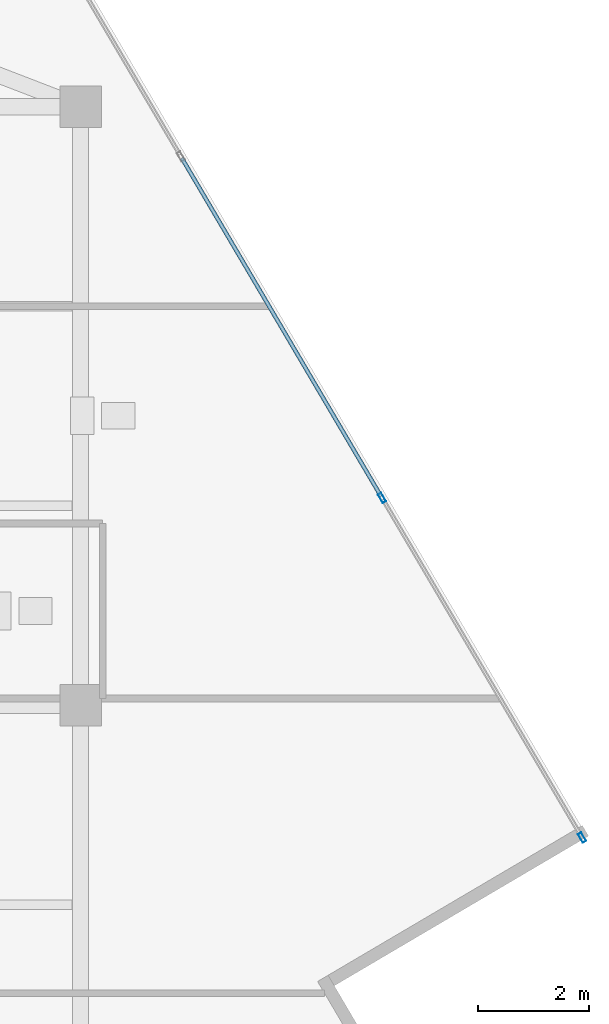
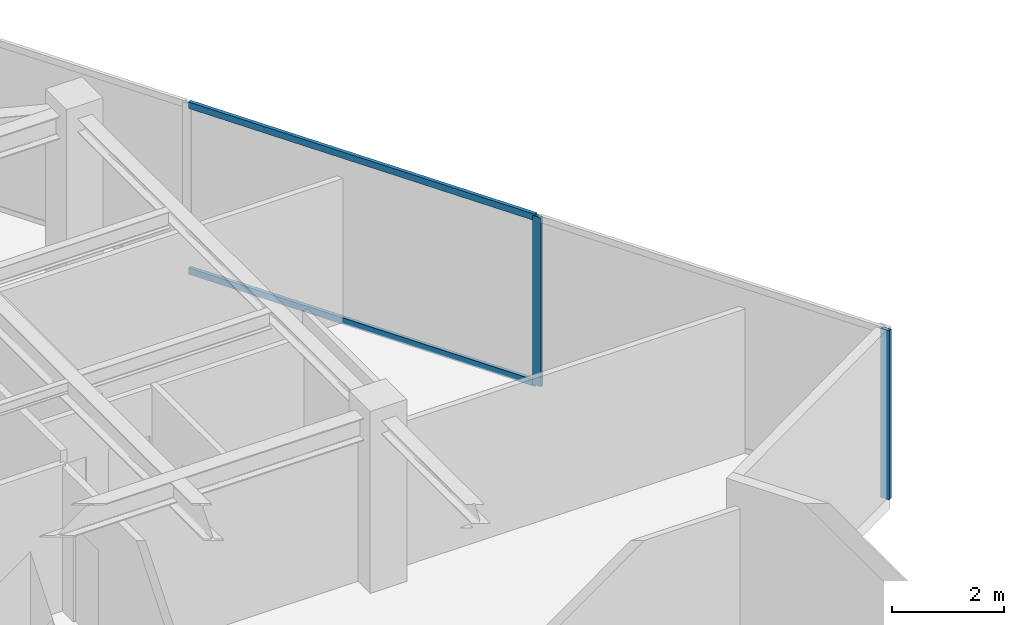
# One storey, part 10 of 20: 4 members, 1 element without a shape of its own.
"""IFC4 building model written with IfcOpenShell, lengths in metres."""

from ifc_helpers import new_model, si_unit, direction, frame, origin, origin_2d, place, context, subcontext, project, spatial, hollow_rectangle, extrude, source, transform, mapped, material, material_profile, profile_set, type_object, type_shapes, element, aggregate, save


model = new_model("IFC4")

# Units and contexts
model_context = context("Model", 3, precision=1e-05, world=origin(), true_north=direction((0.0, 1.0)))
body_context = subcontext(model_context, "Body", "Model", "MODEL_VIEW")
ifc_project = project(units=[si_unit("LENGTHUNIT", "METRE"), si_unit("AREAUNIT", "SQUARE_METRE"), si_unit("VOLUMEUNIT", "CUBIC_METRE"), si_unit("PLANEANGLEUNIT", "RADIAN"), si_unit("MASSUNIT", "GRAM", prefix="KILO")], contexts=[model_context])

# Site, building, storey
site_placement = place(None, origin())
site = spatial("IfcSite", under=ifc_project, at=site_placement, CompositionType="ELEMENT")
building_placement = place(site_placement, origin())
building = spatial("IfcBuilding", under=site, at=building_placement, Name="Krantzveldt Concourse Tower", CompositionType="ELEMENT")
storey_placement = place(building_placement, frame((0.0, 0.0, 295.050048828125)))
storey = spatial("IfcBuildingStorey", under=building, at=storey_placement, Name="L72", CompositionType="ELEMENT", Elevation=295.050048828125)

# Curtain wall, members
ifc_material = material(Name="Anodised aluminium 6063-T6", Category="aluminium")
curtain_wall_type = type_object("IfcCurtainWallType", Name="CW4", PredefinedType="USERDEFINED", material=ifc_material)
curtain_wall_placement = place(storey_placement, origin())
curtain_wall = element("IfcCurtainWall", 1, at=curtain_wall_placement, inside=storey, type_object=curtain_wall_type, Name="CW-L72-F10", ObjectType="UNITISED CURTAIN WALL", PredefinedType="USERDEFINED")
ifc_material_profile_1 = material_profile(ifc_material, hollow_rectangle(XDim=0.070068359375, YDim=0.179931640625, WallThickness=0.0048828125, at=origin_2d()), Name="Anodised aluminium 6063-T6", Category="aluminium")
ifc_profile_set_1 = profile_set([ifc_material_profile_1], Name="Anodised aluminium 6063-T6 - ALU-MULL 180x70x5")
member_type_1 = type_object("IfcMemberType", Name="CW-MUL-180", PredefinedType="MULLION", material=ifc_profile_set_1)
shared_shape_1 = source(origin(), body_context, "Body", "SweptSolid", [
    extrude(hollow_rectangle(XDim=0.070068359375, YDim=0.179931640625, WallThickness=0.0048828125, at=origin_2d()), origin(), (0.0, 0.0, 1.0), 3.669921875),
])
type_shapes(member_type_1, [shared_shape_1])
member_1_placement = place(storey_placement, frame((60.050537109375, 24.31103515625, 0.0), z_axis=(0.0, 0.0, 1.0), x_axis=(-0.861629171479, -0.507538344223, 0.0)))
member_1 = element("IfcMember", 2, at=member_1_placement, type_object=member_type_1, Name="CW-Z56 mullion 1", PredefinedType="MULLION", context=body_context, shape_type="MappedRepresentation", body=[
    mapped(shared_shape_1, transform((0.0, 0.0, 0.0), x_axis=(1.0, 0.0, 0.0), y_axis=(0.0, 1.0, 0.0), z_axis=(0.0, 0.0, 1.0), scale=1.0)),
])
member_2_placement = place(storey_placement, frame((56.439208984375, 30.44140625, 0.0), z_axis=(0.0, 0.0, 1.0), x_axis=(-0.861629171479, -0.507538344223, 0.0)))
member_2 = element("IfcMember", 3, at=member_2_placement, type_object=member_type_1, Name="CW-Z56 mullion 2", PredefinedType="MULLION", context=body_context, shape_type="MappedRepresentation", body=[
    mapped(shared_shape_1, transform((0.0, 0.0, 0.0), x_axis=(1.0, 0.0, 0.0), y_axis=(0.0, 1.0, 0.0), z_axis=(0.0, 0.0, 1.0), scale=1.0)),
])
ifc_material_profile_2 = material_profile(ifc_material, hollow_rectangle(XDim=0.070068359375, YDim=0.139892578125, WallThickness=0.0048828125, at=origin_2d()), Name="Anodised aluminium 6063-T6", Category="aluminium")
ifc_profile_set_2 = profile_set([ifc_material_profile_2], Name="Anodised aluminium 6063-T6 - ALU-TRAN 140x70x5")
member_type_2 = type_object("IfcMemberType", Name="CW-TRN-150", PredefinedType="USERDEFINED", material=ifc_profile_set_2)
shared_shape_2 = source(origin(), body_context, "Body", "SweptSolid", [
    extrude(hollow_rectangle(XDim=0.070068359375, YDim=0.139892578125, WallThickness=0.0048828125, at=origin_2d()), origin(), (0.0, 0.0, 1.0), 7.080078125),
])
type_shapes(member_type_2, [shared_shape_2])
member_3_placement = place(storey_placement, frame((56.421630859375, 30.4716796875, 0.034912109375), z_axis=(-0.507551986665, 0.861621135321, 0.0), x_axis=(-0.861621135321, -0.507551986665, 0.0)))
member_3 = element("IfcMember", 4, at=member_3_placement, type_object=member_type_2, Name="CW-Z56 transom 2.1", ObjectType="TRANSOM", PredefinedType="USERDEFINED", context=body_context, shape_type="MappedRepresentation", body=[
    mapped(shared_shape_2, transform((0.0, 0.0, 0.0), x_axis=(1.0, 0.0, 0.0), y_axis=(0.0, 1.0, 0.0), z_axis=(0.0, 0.0, 1.0), scale=1.0)),
])
member_4_placement = place(storey_placement, frame((56.421630859375, 30.4716796875, 3.635009765625), z_axis=(-0.507551986665, 0.861621135321, 0.0), x_axis=(-0.861621135321, -0.507551986665, 0.0)))
member_4 = element("IfcMember", 5, at=member_4_placement, type_object=member_type_2, Name="CW-Z56 transom 2.2", ObjectType="TRANSOM", PredefinedType="USERDEFINED", context=body_context, shape_type="MappedRepresentation", body=[
    mapped(shared_shape_2, transform((0.0, 0.0, 0.0), x_axis=(1.0, 0.0, 0.0), y_axis=(0.0, 1.0, 0.0), z_axis=(0.0, 0.0, 1.0), scale=1.0)),
])
aggregate(curtain_wall, [member_1, member_2, member_3, member_4])

save(model, "model.ifc")
